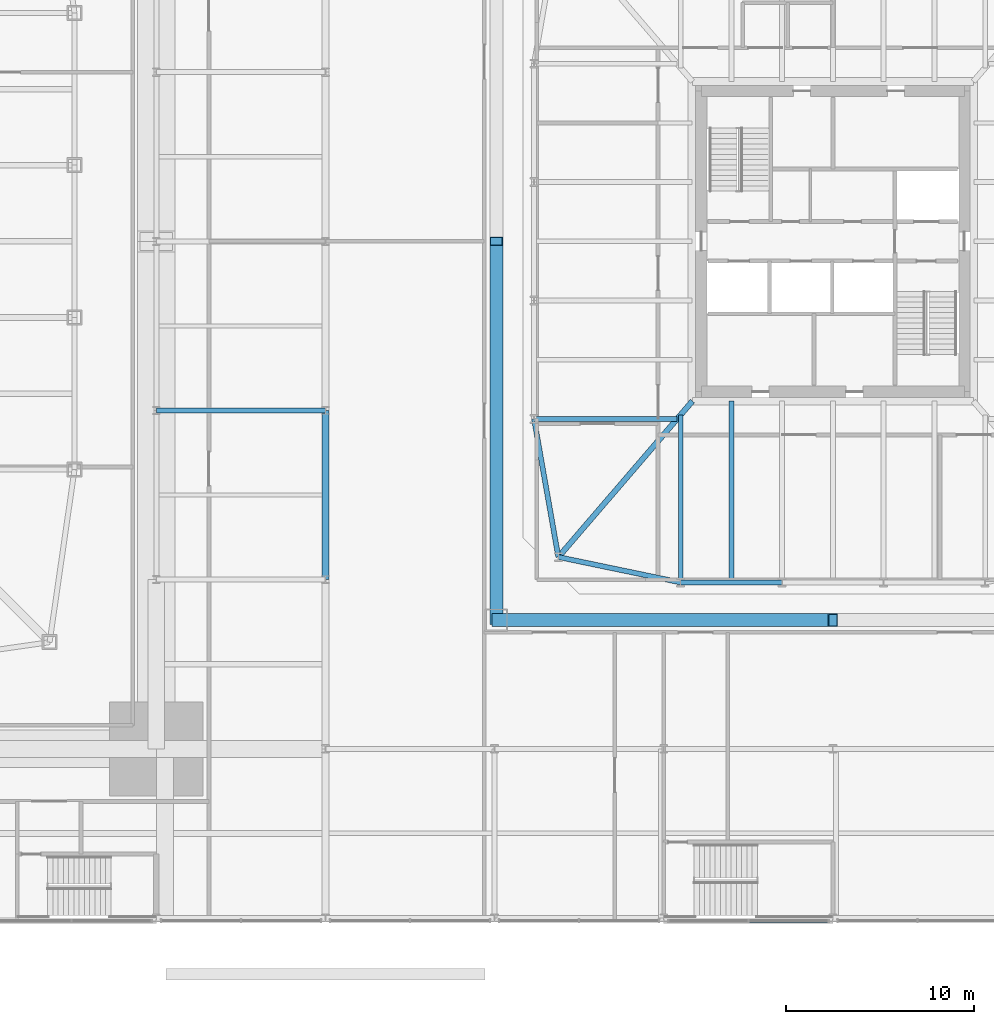
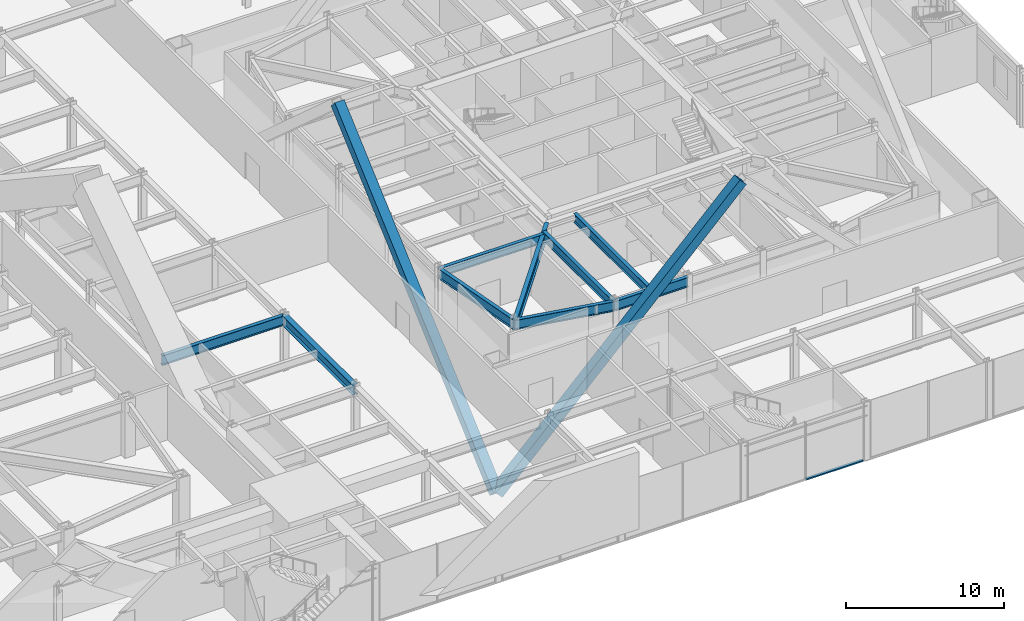
# One storey, part 11 of 32: 9 beams, 3 members, 1 element without a shape of its own.
"""IFC4 building model written with IfcOpenShell, lengths in metres."""

from ifc_helpers import new_model, si_unit, direction, frame, origin, origin_2d, place, context, subcontext, project, spatial, rectangle, hollow_rectangle, i_section, extrude, material, material_profile, profile_set, type_object, element, aggregate, save


model = new_model("IFC4")

# Units and contexts
model_context = context("Model", 3, precision=1e-05, world=origin(), true_north=direction((0.0, 1.0)))
body_context = subcontext(model_context, "Body", "Model", "MODEL_VIEW")
ifc_project = project(units=[si_unit("LENGTHUNIT", "METRE"), si_unit("AREAUNIT", "SQUARE_METRE"), si_unit("VOLUMEUNIT", "CUBIC_METRE"), si_unit("PLANEANGLEUNIT", "RADIAN"), si_unit("MASSUNIT", "GRAM", prefix="KILO")], contexts=[model_context])

# Site, building, storey
site_placement = place(None, origin())
site = spatial("IfcSite", under=ifc_project, at=site_placement, CompositionType="ELEMENT")
building_placement = place(site_placement, origin())
building = spatial("IfcBuilding", under=site, at=building_placement, Name="Iwan Alto Co-Living Towers", CompositionType="ELEMENT")
storey_placement = place(building_placement, frame((0.0, 0.0, 6.0)))
storey = spatial("IfcBuildingStorey", under=building, at=storey_placement, Name="L01", CompositionType="ELEMENT", Elevation=6.0)

# Curtain wall, member
ifc_material_1 = material(Name="Bronze aluminium stick frame", Category="aluminium")
curtain_wall_type = type_object("IfcCurtainWallType", Name="CURTAIN WALL CW-E", PredefinedType="NOTDEFINED", material=ifc_material_1)
curtain_wall_placement = place(storey_placement, origin())
curtain_wall = element("IfcCurtainWall", 1, at=curtain_wall_placement, inside=storey, type_object=curtain_wall_type, Name="Podium curtain wall S L01", PredefinedType="NOTDEFINED")
ifc_material_2 = material(Name="Aluminium 6063-T6 bronze anodised", Category="aluminium")
ifc_material_profile_1 = material_profile(ifc_material_2, rectangle(XDim=0.199951171875, YDim=0.10009765625, at=origin_2d()), Name="AL 200X100")
ifc_profile_set_1 = profile_set([ifc_material_profile_1], Name="Aluminium 6063-T6 bronze anodised")
member_type_1 = type_object("IfcMemberType", Name="CW-E TRANSOM 200X100", PredefinedType="USERDEFINED", material=ifc_profile_set_1)
member_1_placement = place(storey_placement, frame((58.5400390625, -36.14990234375, 0.050048828125), z_axis=(1.0, 0.0, 0.0), x_axis=(0.0, 1.0, 0.0)))
member_1 = element("IfcMember", 2, at=member_1_placement, type_object=member_type_1, Name="CW-E transom 2.1", ObjectType="TRANSOM", PredefinedType="USERDEFINED", context=body_context, shape_type="SweptSolid", body=[
    extrude(rectangle(XDim=0.199951171875, YDim=0.10009765625, at=origin_2d()), origin(), (0.0, 0.0, 1.0), 4.17431640625),
])
aggregate(curtain_wall, [member_1])

# Beams
ifc_material_3 = material(Name="Steel ASTM A992 Gr 50", Category="steel")
ifc_material_profile_2 = material_profile(ifc_material_3, i_section(OverallWidth=0.2666015625, OverallDepth=0.76953125, WebThickness=0.015625, FlangeThickness=0.025390625, at=origin_2d()), Name="W30X132")
ifc_profile_set_2 = profile_set([ifc_material_profile_2], Name="Steel ASTM A992 Gr 50")
beam_type_1 = type_object("IfcBeamType", Name="PODIUM BEAM W30X132", PredefinedType="BEAM", material=ifc_profile_set_2)
beam_1_placement = place(storey_placement, frame((27.0, -9.0, 3.865234375), z_axis=(1.0, 0.0, 0.0), x_axis=(0.0, 1.0, 0.0)))
element("IfcBeam", 3, at=beam_1_placement, inside=storey, type_object=beam_type_1, Name="Podium beam 8/D-9/D L02", PredefinedType="BEAM", context=body_context, shape_type="SweptSolid", body=[
    extrude(i_section(OverallWidth=0.2666015625, OverallDepth=0.76953125, WebThickness=0.015625, FlangeThickness=0.025390625, at=origin_2d()), origin(), (0.0, 0.0, 1.0), 9.0),
])
ifc_material_4 = material(Name="Steel ASTM A992 Gr 50", Category="steel")
ifc_material_profile_3 = material_profile(ifc_material_4, i_section(OverallWidth=0.381103515625, OverallDepth=0.772216796875, WebThickness=0.0166015625, FlangeThickness=0.027099609375, at=origin_2d()), Name="W30X173")
ifc_profile_set_3 = profile_set([ifc_material_profile_3], Name="Steel ASTM A992 Gr 50")
beam_type_2 = type_object("IfcBeamType", Name="PODIUM JOINT BEAM W30X173", PredefinedType="BEAM", material=ifc_profile_set_3)
beam_2_placement = place(storey_placement, frame((36.0, -18.0, 3.864013671875), z_axis=(0.0, 1.0, 0.0), x_axis=(-1.0, 0.0, 0.0)))
element("IfcBeam", 4, at=beam_2_placement, inside=storey, type_object=beam_type_2, Name="Podium beam 9/C-9/D L02", PredefinedType="BEAM", context=body_context, shape_type="SweptSolid", body=[
    extrude(i_section(OverallWidth=0.381103515625, OverallDepth=0.772216796875, WebThickness=0.0166015625, FlangeThickness=0.027099609375, at=origin_2d()), origin(), (0.0, 0.0, 1.0), 9.0),
])
ifc_material_5 = material(Name="Steel ASTM A992 Gr 50", Category="steel")
ifc_material_profile_4 = material_profile(ifc_material_5, i_section(OverallWidth=0.2919921875, OverallDepth=0.8408203125, WebThickness=0.0146484375, FlangeThickness=0.021728515625, at=origin_2d()), Name="W33X130")
ifc_profile_set_4 = profile_set([ifc_material_profile_4], Name="Steel ASTM A992 Gr 50")
beam_type_3 = type_object("IfcBeamType", Name="T2 CORNER GIRDER W33X130", PredefinedType="BEAM", material=ifc_profile_set_4)
beam_3_placement = place(storey_placement, frame((48.393798828125, -16.797119140625, 3.82958984375), z_axis=(0.651972301827, 0.758242782788, 0.0), x_axis=(-0.758242782788, 0.651972301827, 0.0)))
element("IfcBeam", 5, at=beam_3_placement, inside=storey, type_object=beam_type_3, Name="T2 corner girder CSW L02", PredefinedType="BEAM", context=body_context, shape_type="SweptSolid", body=[
    extrude(i_section(OverallWidth=0.2919921875, OverallDepth=0.8408203125, WebThickness=0.0146484375, FlangeThickness=0.021728515625, at=origin_2d()), origin(), (0.0, 0.0, 1.0), 10.93994140625),
])
ifc_material_6 = material(Name="Steel ASTM A992 Gr 50", Category="steel")
ifc_material_profile_5 = material_profile(ifc_material_6, i_section(OverallWidth=0.2666015625, OverallDepth=0.761962890625, WebThickness=0.014404296875, FlangeThickness=0.021484375, at=origin_2d()), Name="W30X116")
ifc_profile_set_5 = profile_set([ifc_material_profile_5], Name="Steel ASTM A992 Gr 50")
beam_type_4 = type_object("IfcBeamType", Name="T2 EDGE BEAM W30X116", PredefinedType="BEAM", material=ifc_profile_set_5)
beam_4_placement = place(storey_placement, frame((48.393798828125, -16.797119140625, 3.868896484375), z_axis=(0.979060119423, -0.203571320564, 0.0), x_axis=(0.203571320564, 0.979060119423, 0.0)))
element("IfcBeam", 6, at=beam_4_placement, inside=storey, type_object=beam_type_4, Name="T2 edge beam CSW L02", PredefinedType="BEAM", context=body_context, shape_type="SweptSolid", body=[
    extrude(i_section(OverallWidth=0.2666015625, OverallDepth=0.761962890625, WebThickness=0.014404296875, FlangeThickness=0.021484375, at=origin_2d()), origin(), (0.0, 0.0, 1.0), 6.645263671875),
])
beam_5_placement = place(storey_placement, frame((54.89990234375, -18.14990234375, 3.868896484375), z_axis=(1.0, 0.0, 0.0), x_axis=(0.0, 1.0, 0.0)))
element("IfcBeam", 7, at=beam_5_placement, inside=storey, type_object=beam_type_4, Name="T2 edge beam S1 L02", PredefinedType="BEAM", context=body_context, shape_type="SweptSolid", body=[
    extrude(i_section(OverallWidth=0.2666015625, OverallDepth=0.761962890625, WebThickness=0.014404296875, FlangeThickness=0.021484375, at=origin_2d()), origin(), (0.0, 0.0, 1.0), 5.400146484375),
])
beam_6_placement = place(storey_placement, frame((47.10009765625, -9.449951171875, 3.868896484375), z_axis=(0.173413807283, -0.98484905008, 0.0), x_axis=(0.98484905008, 0.173413807283, 0.0)))
element("IfcBeam", 8, at=beam_6_placement, inside=storey, type_object=beam_type_4, Name="T2 edge beam W4 L02", PredefinedType="BEAM", context=body_context, shape_type="SweptSolid", body=[
    extrude(i_section(OverallWidth=0.2666015625, OverallDepth=0.761962890625, WebThickness=0.014404296875, FlangeThickness=0.021484375, at=origin_2d()), origin(), (0.0, 0.0, 1.0), 7.460205078125),
])

# Members
ifc_material_7 = material(Name="Steel ASTM A572 Gr 50", Category="steel")
ifc_material_profile_6 = material_profile(ifc_material_7, hollow_rectangle(XDim=0.699951171875, YDim=0.699951171875, WallThickness=0.044921875, at=origin_2d()), Name="BOX 700X700X45")
ifc_profile_set_6 = profile_set([ifc_material_profile_6], Name="Steel ASTM A572 Gr 50")
member_type_2 = type_object("IfcMemberType", Name="T2 MEGA BRACE BOX 700X700X45", PredefinedType="BRACE", material=ifc_profile_set_6)
member_2_placement = place(storey_placement, frame((45.10009765625, -20.14990234375, -6.0), z_axis=(0.705132454608, 0.0, 0.709075610537), x_axis=(0.0, 1.0, 0.0)))
element("IfcMember", 9, at=member_2_placement, inside=storey, type_object=member_type_2, Name="T2 mega brace Z1A S 1 lower", PredefinedType="BRACE", context=body_context, shape_type="SweptSolid", body=[
    extrude(hollow_rectangle(XDim=0.699951171875, YDim=0.699951171875, WallThickness=0.044921875, at=origin_2d()), origin(), (0.0, 0.0, 1.0), 25.38525390625),
])
member_3_placement = place(storey_placement, frame((45.10009765625, -20.14990234375, -6.0), z_axis=(0.0, 0.745771862138, 0.666201418224), x_axis=(-1.0, 0.0, 0.0)))
element("IfcMember", 10, at=member_3_placement, inside=storey, type_object=member_type_2, Name="T2 mega brace Z1A W 2 lower", PredefinedType="BRACE", context=body_context, shape_type="SweptSolid", body=[
    extrude(hollow_rectangle(XDim=0.699951171875, YDim=0.699951171875, WallThickness=0.044921875, at=origin_2d()), origin(), (0.0, 0.0, 1.0), 27.018798828125),
])

# Beams
ifc_material_8 = material(Name="Steel ASTM A992 Gr 50", Category="steel")
ifc_material_profile_7 = material_profile(ifc_material_8, i_section(OverallWidth=0.25390625, OverallDepth=0.683349609375, WebThickness=0.012451171875, FlangeThickness=0.018798828125, at=origin_2d()), Name="W27X94")
ifc_profile_set_7 = profile_set([ifc_material_profile_7], Name="Steel ASTM A992 Gr 50")
beam_type_5 = type_object("IfcBeamType", Name="T2 RADIAL BEAM W27X94", PredefinedType="BEAM", material=ifc_profile_set_7)
beam_7_placement = place(storey_placement, frame((54.89990234375, -18.14990234375, 3.908447265625), z_axis=(0.0, 1.0, 0.0), x_axis=(-1.0, 0.0, 0.0)))
element("IfcBeam", 11, at=beam_7_placement, inside=storey, type_object=beam_type_5, Name="T2 radial beam S1 L02", PredefinedType="BEAM", context=body_context, shape_type="SweptSolid", body=[
    extrude(i_section(OverallWidth=0.25390625, OverallDepth=0.683349609375, WebThickness=0.012451171875, FlangeThickness=0.018798828125, at=origin_2d()), origin(), (0.0, 0.0, 1.0), 8.91943359375),
])
beam_8_placement = place(storey_placement, frame((47.10009765625, -9.449951171875, 3.908447265625), z_axis=(1.0, 0.0, 0.0), x_axis=(0.0, 1.0, 0.0)))
element("IfcBeam", 12, at=beam_8_placement, inside=storey, type_object=beam_type_5, Name="T2 radial beam W4 L02", PredefinedType="BEAM", context=body_context, shape_type="SweptSolid", body=[
    extrude(i_section(OverallWidth=0.25390625, OverallDepth=0.683349609375, WebThickness=0.012451171875, FlangeThickness=0.018798828125, at=origin_2d()), origin(), (0.0, 0.0, 1.0), 7.611083984375),
])
ifc_material_9 = material(Name="Steel ASTM A992 Gr 50", Category="steel")
ifc_material_profile_8 = material_profile(ifc_material_9, i_section(OverallWidth=0.25390625, OverallDepth=0.683349609375, WebThickness=0.012451171875, FlangeThickness=0.018798828125, at=origin_2d()), Name="W27X94")
ifc_profile_set_8 = profile_set([ifc_material_profile_8], Name="Steel ASTM A992 Gr 50")
beam_type_6 = type_object("IfcBeamType", Name="T2 SECONDARY BEAM W27X94", PredefinedType="JOIST", material=ifc_profile_set_8)
beam_9_placement = place(storey_placement, frame((57.60009765625, -18.14990234375, 3.908447265625), z_axis=(0.0, 1.0, 0.0), x_axis=(-1.0, 0.0, 0.0)))
element("IfcBeam", 13, at=beam_9_placement, inside=storey, type_object=beam_type_6, Name="T2 secondary beam S1 L02", PredefinedType="JOIST", context=body_context, shape_type="SweptSolid", body=[
    extrude(i_section(OverallWidth=0.25390625, OverallDepth=0.683349609375, WebThickness=0.012451171875, FlangeThickness=0.018798828125, at=origin_2d()), origin(), (0.0, 0.0, 1.0), 9.64794921875),
])

save(model, "model.ifc")
